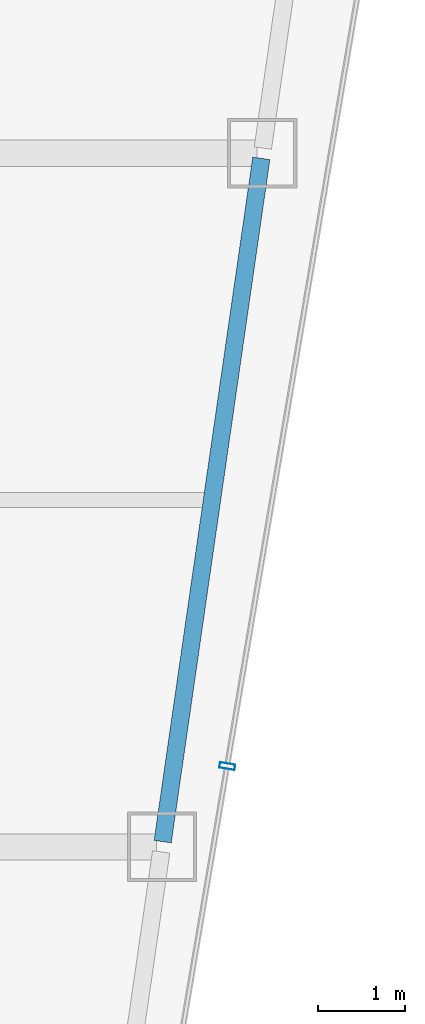
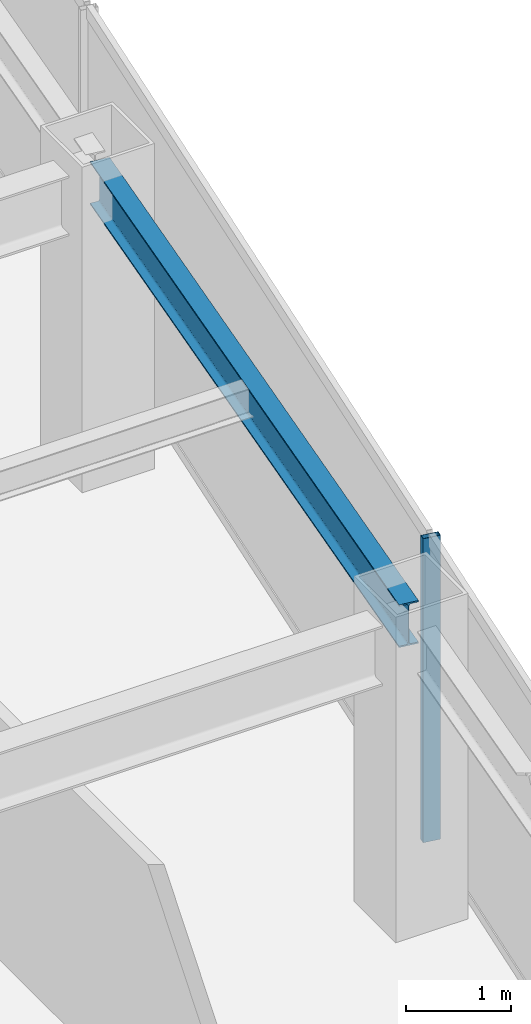
# One storey, part 20 of 36: 1 beam, 1 member, 1 element without a shape of its own.
"""IFC4 building model written with IfcOpenShell, lengths in metres."""

from ifc_helpers import new_model, si_unit, direction, frame, origin, origin_2d, place, context, subcontext, project, spatial, hollow_rectangle, i_section, extrude, material, material_profile, profile_set, type_object, element, aggregate, save


model = new_model("IFC4")

# Units and contexts
model_context = context("Model", 3, precision=1e-05, world=origin(), true_north=direction((0.0, 1.0)))
body_context = subcontext(model_context, "Body", "Model", "MODEL_VIEW")
ifc_project = project(units=[si_unit("LENGTHUNIT", "METRE"), si_unit("AREAUNIT", "SQUARE_METRE"), si_unit("VOLUMEUNIT", "CUBIC_METRE"), si_unit("PLANEANGLEUNIT", "RADIAN"), si_unit("MASSUNIT", "GRAM", prefix="KILO")], contexts=[model_context])

# Site, building, storey
site_placement = place(None, origin())
site = spatial("IfcSite", under=ifc_project, at=site_placement, CompositionType="ELEMENT")
building_placement = place(site_placement, origin())
building = spatial("IfcBuilding", under=site, at=building_placement, Name="Saevonmaru Cultural Tower", CompositionType="ELEMENT")
storey_placement = place(building_placement, frame((0.0, 0.0, 182.800048828125)))
storey = spatial("IfcBuildingStorey", under=building, at=storey_placement, Name="L41", CompositionType="ELEMENT", Elevation=182.800048828125)

# Beam
ifc_material_1 = material(Name="Steel SM355", Category="steel")
ifc_material_profile_1 = material_profile(ifc_material_1, i_section(OverallWidth=0.199951171875, OverallDepth=0.5, WebThickness=0.010009765625, FlangeThickness=0.01611328125, FilletRadius=0.02001953125, at=origin_2d()), Name="H-500x200x10x16")
ifc_profile_set_1 = profile_set([ifc_material_profile_1], Name="Steel SM355")
beam_type = type_object("IfcBeamType", Name="BM-SP-H500", PredefinedType="SPANDREL", material=ifc_profile_set_1)
beam_placement = place(storey_placement, frame((50.53662109375, 24.059326171875, 3.300048828125), z_axis=(0.142871999001, 0.989741174197, 0.0), x_axis=(-0.989741174197, 0.142871999001, 0.0)))
element("IfcBeam", 1, at=beam_placement, inside=storey, type_object=beam_type, Name="L41 East Splayed Spandrel 2", PredefinedType="SPANDREL", context=body_context, shape_type="SweptSolid", body=[
    extrude(i_section(OverallWidth=0.199951171875, OverallDepth=0.5, WebThickness=0.010009765625, FlangeThickness=0.01611328125, FilletRadius=0.02001953125, at=origin_2d()), origin(), (0.0, 0.0, 1.0), 7.963134765625),
])

# Curtain wall, member
ifc_material_2 = material(Name="Satin Bronze Anodised Aluminium", Category="aluminium")
curtain_wall_type = type_object("IfcCurtainWallType", Name="CW-TYP-B", PredefinedType="NOTDEFINED", material=ifc_material_2)
curtain_wall_placement = place(storey_placement, origin())
curtain_wall = element("IfcCurtainWall", 2, at=curtain_wall_placement, inside=storey, type_object=curtain_wall_type, Name="L41 Unitised Curtain Wall E8", PredefinedType="NOTDEFINED")
ifc_material_profile_2 = material_profile(ifc_material_2, hollow_rectangle(XDim=0.06494140625, YDim=0.179931640625, WallThickness=0.00390625, at=origin_2d()), Name="ALU-MULL-180x65x4")
ifc_profile_set_2 = profile_set([ifc_material_profile_2], Name="Satin Bronze Anodised Aluminium")
member_type = type_object("IfcMemberType", Name="ML-CW-180x65", PredefinedType="MULLION", material=ifc_profile_set_2)
member_placement = place(storey_placement, frame((51.28173828125, 24.9296875, 0.0), z_axis=(0.0, 0.0, 1.0), x_axis=(0.16692169721, 0.985970155228, 0.0)))
member = element("IfcMember", 3, at=member_placement, type_object=member_type, Name="CW-TW-L41-E8 mullion 2", PredefinedType="MULLION", context=body_context, shape_type="SweptSolid", body=[
    extrude(hollow_rectangle(XDim=0.06494140625, YDim=0.179931640625, WallThickness=0.00390625, at=origin_2d()), origin(), (0.0, 0.0, 1.0), 3.550048828125),
])
aggregate(curtain_wall, [member])

save(model, "model.ifc")
